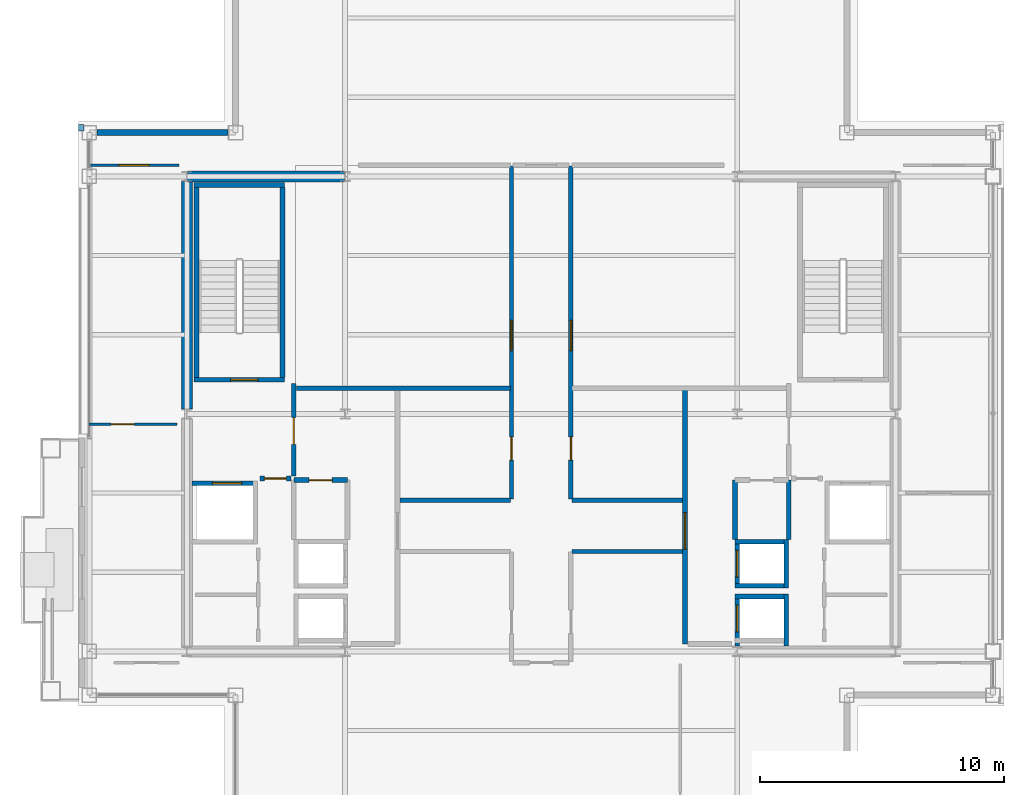
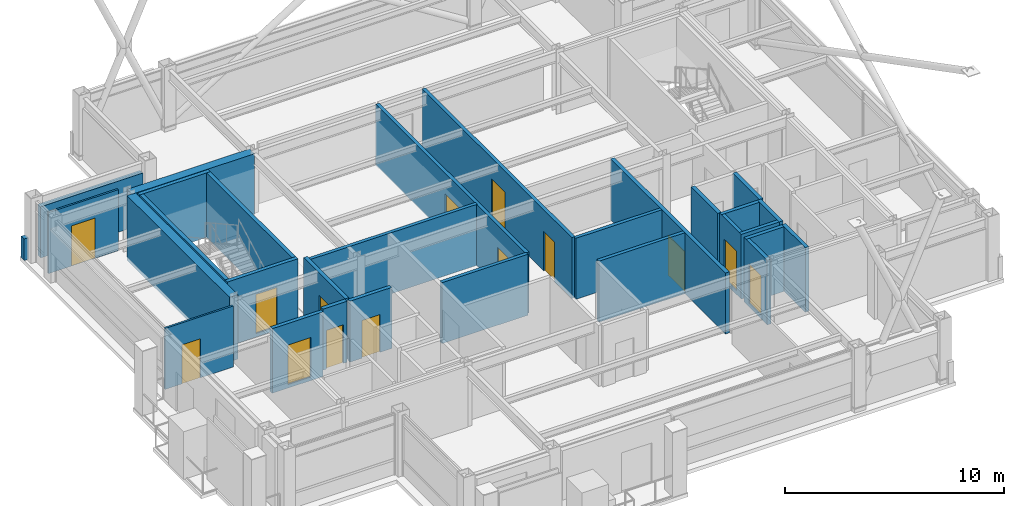
# One storey, part 23 of 27: 30 walls, 14 doors, 14 openings.
"""IFC4 building model written with IfcOpenShell, lengths in metres."""

import ifcopenshell
import ifcopenshell.guid

model = None  # the IFC model being written
_history = None  # IfcOwnerHistory: only IFC2X3 demands one
_inside = {}  # id of a spatial element -> (the spatial element, [elements in it])
_under = {}  # id of a project, library or spatial element -> (it, [spatial elements below it])
_declared = {}  # id of a project -> (the project, [libraries it declares])
_typed = {}  # id of a type object -> (the type object, [elements of that type])
_made_of = {}  # id of a material, layer set ... -> (it, [elements and type objects made of it])


def new_model(schema):
    """Start an empty IFC model of exactly this schema.

    Asked for "IFC4X3", IfcOpenShell would pick the latest addendum, in which some entities
    have other attributes; the version numbers below select the first issue.
    IFC2X3 requires an IfcOwnerHistory on every rooted entity: one is made here for all.
    """
    global model, _history
    if schema == "IFC4X3":
        model = ifcopenshell.file(schema_version=(4, 3, 0, 0))
    else:
        model = ifcopenshell.file(schema=schema)
    _inside.clear()
    _under.clear()
    _declared.clear()
    _typed.clear()
    _made_of.clear()
    _history = None
    if model.schema == "IFC2X3":
        org = make("IfcOrganization", Name="unknown")
        user = make(
            "IfcPersonAndOrganization",
            ThePerson=make("IfcPerson", FamilyName="unknown"),
            TheOrganization=org,
        )
        app = make(
            "IfcApplication",
            ApplicationDeveloper=org,
            Version="unknown",
            ApplicationFullName="unknown",
            ApplicationIdentifier="unknown",
        )
        _history = make(
            "IfcOwnerHistory",
            OwningUser=user,
            OwningApplication=app,
            ChangeAction="ADDED",
            CreationDate=0,
        )
    return model


def make(cls, **values):
    """One entity of the class cls with the attributes given. An attribute that is None is left unset."""
    return model.create_entity(
        cls, **{name: value for name, value in values.items() if value is not None}
    )


def rooted(cls, **values):
    """An entity with a GlobalId (a new one), such as an element, a storey or a relation."""
    return make(cls, GlobalId=ifcopenshell.guid.new(), OwnerHistory=_history, **values)


def si_unit(unit_type, name, prefix=None):
    """IfcSIUnit, for example si_unit("LENGTHUNIT", "METRE", prefix="MILLI")."""
    return make("IfcSIUnit", UnitType=unit_type, Prefix=prefix, Name=name)


def assignment(units):
    """IfcUnitAssignment: the units of a project."""
    return None if units is None else make("IfcUnitAssignment", Units=units)


def point(xyz):
    """IfcCartesianPoint."""
    return None if xyz is None else make("IfcCartesianPoint", Coordinates=xyz)


def direction(xyz):
    """IfcDirection."""
    return None if xyz is None else make("IfcDirection", DirectionRatios=xyz)


def frame(location, z_axis=None, x_axis=None):
    """IfcAxis2Placement3D, a coordinate frame: its origin and axes. An axis left out is left unset."""
    return make(
        "IfcAxis2Placement3D",
        Location=point(location),
        Axis=direction(z_axis),
        RefDirection=direction(x_axis),
    )


def frame_2d(location, x_axis=None):
    """IfcAxis2Placement2D, a coordinate frame in the plane: its origin and x axis."""
    return make(
        "IfcAxis2Placement2D", Location=point(location), RefDirection=direction(x_axis)
    )


def origin():
    """The frame at (0, 0, 0) with its axes left unset."""
    return frame((0.0, 0.0, 0.0))


def place(relative_to, where):
    """IfcLocalPlacement: puts the frame where relative to a parent placement (None: the world)."""
    return make(
        "IfcLocalPlacement", PlacementRelTo=relative_to, RelativePlacement=where
    )


def context(
    kind, dimensions, precision=None, world=None, true_north=None, identifier=None
):
    """IfcGeometricRepresentationContext, for example the 3D "Model" context."""
    return make(
        "IfcGeometricRepresentationContext",
        ContextIdentifier=identifier,
        ContextType=kind,
        CoordinateSpaceDimension=dimensions,
        Precision=precision,
        WorldCoordinateSystem=world,
        TrueNorth=true_north,
    )


def subcontext(parent, identifier, kind, view, scale=None):
    """IfcGeometricRepresentationSubContext, for example "Body" below "Model"."""
    return make(
        "IfcGeometricRepresentationSubContext",
        ContextIdentifier=identifier,
        ContextType=kind,
        ParentContext=parent,
        TargetScale=scale,
        TargetView=view,
    )


def project(units=None, contexts=None):
    """IfcProject with its units and contexts."""
    return rooted(
        "IfcProject",
        Name="project",
        RepresentationContexts=contexts,
        UnitsInContext=assignment(units),
    )


def spatial(cls, under=None, at=None, **own):
    """A site, building, storey or space (cls), placed at a placement, below another one or the project."""
    s = rooted(cls, ObjectPlacement=at, **own)
    if under is not None:
        _under.setdefault(under.id(), (under, []))[1].append(s)
    return s


def profile(cls, at=None, kind="AREA", **sizes):
    """A parametric profile (cls). Its sizes go by their IFC names, for example OverallWidth=200.0."""
    return make(cls, ProfileType=kind, Position=at, **sizes)


def rectangle(**sizes):
    """IfcRectangleProfileDef."""
    return profile("IfcRectangleProfileDef", **sizes)


def extrude(swept, where, along, depth):
    """IfcExtrudedAreaSolid: the profile swept, set in the frame where, extruded along a direction by depth."""
    return make(
        "IfcExtrudedAreaSolid",
        SweptArea=swept,
        Position=where,
        ExtrudedDirection=direction(along),
        Depth=depth,
    )


def shape(context_of_items, identifier, shape_type, items):
    """IfcShapeRepresentation: the items that make up one representation, for example the "Body"."""
    return make(
        "IfcShapeRepresentation",
        ContextOfItems=context_of_items,
        RepresentationIdentifier=identifier,
        RepresentationType=shape_type,
        Items=items,
    )


def material(Name=None, Category=None):
    """IfcMaterial."""
    return make("IfcMaterial", Name=Name, Category=Category)


def layer(
    of_material, thickness, ventilated=None, Name=None, Category=None, Priority=None
):
    """IfcMaterialLayer: one layer of a wall or slab, of a material (None: an air gap)."""
    return make(
        "IfcMaterialLayer",
        Material=of_material,
        LayerThickness=thickness,
        IsVentilated=ventilated,
        Name=Name,
        Category=Category,
        Priority=Priority,
    )


def layer_set(layers, Name=None):
    """IfcMaterialLayerSet."""
    return make("IfcMaterialLayerSet", MaterialLayers=layers, LayerSetName=Name)


def made_of(thing, what):
    """Note that an element or type object is made of a material, layer set ...; save() writes the relation."""
    if what is not None:
        _made_of.setdefault(what.id(), (what, []))[1].append(thing)
    return thing


def type_object(cls, material=None, **own):
    """A type object (cls), such as IfcWallType, which elements share."""
    return made_of(rooted(cls, **own), material)


def element(
    cls,
    number,
    at=None,
    inside=None,
    cuts=None,
    type_object=None,
    material=None,
    context=None,
    identifier="Body",
    shape_type=None,
    held_by="IfcProductDefinitionShape",
    body=None,
    shapes=None,
    **own,
):
    """One element of the class cls, such as IfcWall. Its Tag is "e" and its number.

    at: its placement. inside: the storey or other place that contains it. cuts: it is an
    opening in that element (IfcRelVoidsElement). A single representation is given by context,
    identifier, shape_type and body (its items); several are given by shapes. held_by: the class
    of the entity that holds the representations. save() writes the other relations.
    """
    e = rooted(cls, Tag="e%d" % number, ObjectPlacement=at, **own)
    if body is not None:
        shapes = [shape(context, identifier, shape_type, body)]
    if shapes is not None:
        e.Representation = make(held_by, Representations=shapes)
    if inside is not None:
        _inside.setdefault(inside.id(), (inside, []))[1].append(e)
    if cuts is not None:
        rooted(
            "IfcRelVoidsElement", RelatingBuildingElement=cuts, RelatedOpeningElement=e
        )
    if type_object is not None:
        _typed.setdefault(type_object.id(), (type_object, []))[1].append(e)
    return made_of(e, material)


def fill(opening, filler):
    """IfcRelFillsElement: the door or window that sits in an opening."""
    return rooted(
        "IfcRelFillsElement",
        RelatingOpeningElement=opening,
        RelatedBuildingElement=filler,
    )


def aggregate(whole, parts):
    """IfcRelAggregates: a whole, such as a stair, and the parts it consists of."""
    return rooted("IfcRelAggregates", RelatingObject=whole, RelatedObjects=parts)


def save(model, path):
    """Write the relations noted so far, then the file.

    IfcRelAggregates (storeys below a building ...), IfcRelContainedInSpatialStructure (elements
    in a storey), IfcRelDefinesByType, IfcRelAssociatesMaterial and IfcRelDeclares: one each for
    every whole, place, type object, material and project.
    """
    for whole, parts in _under.values():
        aggregate(whole, parts)
    for where, things in _inside.values():
        rooted(
            "IfcRelContainedInSpatialStructure",
            RelatedElements=things,
            RelatingStructure=where,
        )
    for kind, things in _typed.values():
        rooted("IfcRelDefinesByType", RelatedObjects=things, RelatingType=kind)
    for what, things in _made_of.values():
        rooted("IfcRelAssociatesMaterial", RelatedObjects=things, RelatingMaterial=what)
    for by, libraries in _declared.values():
        rooted("IfcRelDeclares", RelatingContext=by, RelatedDefinitions=libraries)
    model.write(path)


model = new_model("IFC4")

# Units and contexts
model_context = context("Model", 3, precision=1e-05, world=origin(), true_north=direction((0.0, 1.0)))
body_context = subcontext(model_context, "Body", "Model", "MODEL_VIEW")
ifc_project = project(units=[si_unit("LENGTHUNIT", "METRE"), si_unit("AREAUNIT", "SQUARE_METRE"), si_unit("VOLUMEUNIT", "CUBIC_METRE"), si_unit("PLANEANGLEUNIT", "RADIAN"), si_unit("MASSUNIT", "GRAM", prefix="KILO")], contexts=[model_context])

# Site, building, storey
site_placement = place(None, origin())
site = spatial("IfcSite", under=ifc_project, at=site_placement, CompositionType="ELEMENT")
building_placement = place(site_placement, origin())
building = spatial("IfcBuilding", under=site, at=building_placement, Name="Brelmoor Portico Tower", CompositionType="ELEMENT")
storey_placement = place(building_placement, frame((0.0, 0.0, 258.0)))
storey = spatial("IfcBuildingStorey", under=building, at=storey_placement, Name="L68", CompositionType="ELEMENT", Elevation=258.0)

# Walls
ifc_material_1 = material(Name="Concrete C50", Category="concrete")
ifc_layer_1 = layer(ifc_material_1, 0.449951171875)
ifc_layer_set_1 = layer_set([ifc_layer_1], Name="Concrete C50")
wall_type_1 = type_object("IfcWallType", Name="WL-CORE-450", PredefinedType="SHEAR", material=ifc_layer_set_1)
wall_1_placement = place(storey_placement, frame((-14.530029296875, 9.75, -0.199951171875), z_axis=(0.0, 0.0, 1.0), x_axis=(1.0, 0.0, 0.0)))
element("IfcWall", 1, at=wall_1_placement, inside=storey, type_object=wall_type_1, Name="L68 WC North Shear Wall", PredefinedType="SHEAR", context=body_context, shape_type="SweptSolid", body=[
    extrude(rectangle(XDim=6.4599609375, YDim=0.449951171875, at=frame_2d((3.22998046875, 0.0))), origin(), (0.0, 0.0, 1.0), 3.599853515625),
])
wall_2_placement = place(storey_placement, frame((-14.550048828125, 0.199951171875, -0.199951171875), z_axis=(0.0, 0.0, 1.0), x_axis=(0.0, 1.0, 0.0)))
element("IfcWall", 2, at=wall_2_placement, inside=storey, type_object=wall_type_1, Name="L68 WC Outer North Shear Wall", PredefinedType="SHEAR", context=body_context, shape_type="SweptSolid", body=[
    extrude(rectangle(XDim=9.35009765625, YDim=0.449951171875, at=frame_2d((4.675048828125, 0.0))), origin(), (0.0, 0.0, 1.0), 3.599853515625),
])
ifc_material_2 = material(Name="Precast Concrete C40 Insulated Facade Wall", Category="concrete")
ifc_layer_2 = layer(ifc_material_2, 0.25)
ifc_layer_set_2 = layer_set([ifc_layer_2], Name="Precast Concrete C40 Insulated Facade Wall")
wall_type_2 = type_object("IfcWallType", Name="WL-EXT-250", PredefinedType="STANDARD", material=ifc_layer_set_2)
wall_3_placement = place(storey_placement, frame((-18.239990234375, 11.550048828125, 0.0), z_axis=(0.0, 0.0, 1.0), x_axis=(1.0, 0.0, 0.0)))
element("IfcWall", 3, at=wall_3_placement, inside=storey, type_object=wall_type_2, Name="L68 Corner Notch Facade Wall NNWH1", PredefinedType="STANDARD", context=body_context, shape_type="SweptSolid", body=[
    extrude(rectangle(XDim=5.3798828125, YDim=0.25, at=frame_2d((2.68994140625, 0.0))), origin(), (0.0, 0.0, 1.0), 2.85009765625),
])
ifc_material_3 = material(Name="Concrete C40 Parapet Upstand", Category="concrete")
ifc_layer_3 = layer(ifc_material_3, 0.219970703125)
ifc_layer_set_3 = layer_set([ifc_layer_3], Name="Concrete C40 Parapet Upstand")
wall_type_3 = type_object("IfcWallType", Name="WL-PARAPET-220", PredefinedType="PARAPET", material=ifc_layer_set_3)
wall_4_placement = place(storey_placement, frame((-18.889892578125, 11.6201171875, 0.0), z_axis=(0.0, 0.0, 1.0), x_axis=(0.0, 1.0, 0.0)))
element("IfcWall", 4, at=wall_4_placement, inside=storey, type_object=wall_type_3, Name="L68 Chamfer Vertex Parapet Pier NW2", PredefinedType="PARAPET", context=body_context, shape_type="SweptSolid", body=[
    extrude(rectangle(XDim=0.269775390625, YDim=0.219970703125, at=frame_2d((0.134765625, 0.0))), origin(), (0.0, 0.0, 1.0), 1.199951171875),
])

# Wall, opening, door
ifc_material_4 = material(Name="Demountable Glazed Office Partition", Category="aluminium")
ifc_layer_4 = layer(ifc_material_4, 0.10009765625)
ifc_layer_set_4 = layer_set([ifc_layer_4], Name="Demountable Glazed Office Partition")
wall_type_4 = type_object("IfcWallType", Name="WL-PART-100", PredefinedType="PARTITIONING", material=ifc_layer_set_4)
wall_5_placement = place(storey_placement, frame((-18.56005859375, 10.2099609375, 0.0), z_axis=(0.0, 0.0, 1.0), x_axis=(1.0, 0.0, 0.0)))
wall_5 = element("IfcWall", 5, at=wall_5_placement, inside=storey, type_object=wall_type_4, Name="L68 North Wing Suite Wall WL", PredefinedType="PARTITIONING", context=body_context, shape_type="SweptSolid", body=[
    extrude(rectangle(XDim=3.68017578125, YDim=0.10009765625, at=frame_2d((1.840087890625, 0.0))), origin(), (0.0, 0.0, 1.0), 3.39990234375),
])
opening_1_placement = place(wall_5_placement, frame((1.219970703125, 0.0, 0.0)))
opening_1 = element("IfcOpeningElement", 6, at=opening_1_placement, cuts=wall_5, Name="Opening D-SU1", PredefinedType="OPENING", context=body_context, shape_type="SweptSolid", body=[
    extrude(rectangle(XDim=1.239990234375, YDim=2.239990234375, at=frame_2d((0.6201171875, 1.1201171875))), frame((0.0, 0.06005859375, 0.0), z_axis=(0.0, -1.0, 0.0), x_axis=(1.0, 0.0, 0.0)), (0.0, 0.0, 1.0), 0.1201171875),
])
ifc_material_5 = material(Name="Glazed Timber Executive Suite Door", Category="wood")
door_type_1 = type_object("IfcDoorType", Name="DR-SUITE-1200", OperationType="NOTDEFINED", PredefinedType="DOOR", material=ifc_material_5)
door_1_placement = place(opening_1_placement, origin())
door_1 = element("IfcDoor", 7, at=door_1_placement, inside=storey, type_object=door_type_1, Name="D-2803 L68 WL Wing Suite Connecting Door", OperationType="SINGLE_SWING_LEFT", OverallHeight=2.239990234375, OverallWidth=1.239990234375, PredefinedType="DOOR", context=body_context, shape_type="SweptSolid", body=[
    extrude(rectangle(XDim=1.239990234375, YDim=2.239990234375, at=frame_2d((0.6201171875, 1.1201171875))), frame((0.0, 0.02490234375, 0.0), z_axis=(0.0, -1.0, 0.0), x_axis=(1.0, 0.0, 0.0)), (0.0, 0.0, 1.0), 0.050048828125),
])
fill(opening_1, door_1)

wall_6_placement = place(storey_placement, frame((-18.56005859375, -0.429931640625, 0.0), z_axis=(0.0, 0.0, 1.0), x_axis=(1.0, 0.0, 0.0)))
wall_6 = element("IfcWall", 8, at=wall_6_placement, inside=storey, type_object=wall_type_4, Name="L68 W Wing Partition 1", PredefinedType="PARTITIONING", context=body_context, shape_type="SweptSolid", body=[
    extrude(rectangle(XDim=3.60009765625, YDim=0.10009765625, at=frame_2d((1.800048828125, 0.0))), origin(), (0.0, 0.0, 1.0), 3.39990234375),
])
opening_2_placement = place(wall_6_placement, frame((0.89990234375, 0.0, 0.0)))
opening_2 = element("IfcOpeningElement", 9, at=opening_2_placement, cuts=wall_6, Name="Opening D-IN2", PredefinedType="OPENING", context=body_context, shape_type="SweptSolid", body=[
    extrude(rectangle(XDim=0.9599609375, YDim=2.179931640625, at=frame_2d((0.47998046875, 1.08984375))), frame((0.0, 0.06005859375, 0.0), z_axis=(0.0, -1.0, 0.0), x_axis=(1.0, 0.0, 0.0)), (0.0, 0.0, 1.0), 0.1201171875),
])
ifc_material_6 = material(Name="Lacquered Timber Suite Door", Category="wood")
door_type_2 = type_object("IfcDoorType", Name="DR-INT-950", OperationType="NOTDEFINED", PredefinedType="DOOR", material=ifc_material_6)
door_2_placement = place(opening_2_placement, origin())
door_2 = element("IfcDoor", 10, at=door_2_placement, inside=storey, type_object=door_type_2, Name="D-2813 L68 W Wing Suite Connecting Door 1", OperationType="SINGLE_SWING_LEFT", OverallHeight=2.179931640625, OverallWidth=0.9599609375, PredefinedType="DOOR", context=body_context, shape_type="SweptSolid", body=[
    extrude(rectangle(XDim=0.9599609375, YDim=2.179931640625, at=frame_2d((0.47998046875, 1.08984375))), frame((0.0, 0.02490234375, 0.0), z_axis=(0.0, -1.0, 0.0), x_axis=(1.0, 0.0, 0.0)), (0.0, 0.0, 1.0), 0.050048828125),
])
fill(opening_2, door_2)

# Wall
ifc_material_7 = material(Name="Acoustic Corridor Fire Partition", Category="gypsum")
ifc_layer_5 = layer(ifc_material_7, 0.179931640625)
ifc_layer_set_5 = layer_set([ifc_layer_5], Name="Acoustic Corridor Fire Partition")
wall_type_5 = type_object("IfcWallType", Name="WL-PART-180", PredefinedType="PARTITIONING", material=ifc_layer_set_5)
wall_7_placement = place(storey_placement, frame((-10.050048828125, 1.050048828125, 0.0), z_axis=(0.0, 0.0, 1.0), x_axis=(1.0, 0.0, 0.0)))
element("IfcWall", 11, at=wall_7_placement, inside=storey, type_object=wall_type_5, Name="L68 West Reclaimed Suite South Wall", PredefinedType="PARTITIONING", context=body_context, shape_type="SweptSolid", body=[
    extrude(rectangle(XDim=8.7900390625, YDim=0.179931640625, at=frame_2d((4.39501953125, 0.0))), origin(), (0.0, 0.0, 1.0), 3.39990234375),
])

# Wall, openings, doors
wall_8_placement = place(storey_placement, frame((-1.219970703125, -3.5, 0.0), z_axis=(0.0, 0.0, 1.0), x_axis=(0.0, 1.0, 0.0)))
wall_8 = element("IfcWall", 12, at=wall_8_placement, inside=storey, type_object=wall_type_5, Name="L68 Central Cross West Wall", PredefinedType="PARTITIONING", context=body_context, shape_type="SweptSolid", body=[
    extrude(rectangle(XDim=13.669921875, YDim=0.179931640625, at=frame_2d((6.8349609375, 0.0))), origin(), (0.0, 0.0, 1.0), 3.39990234375),
])
opening_3_placement = place(wall_8_placement, frame((6.10009765625, 0.0, 0.0)))
opening_3 = element("IfcOpeningElement", 13, at=opening_3_placement, cuts=wall_8, Name="Opening D-SU1", PredefinedType="OPENING", context=body_context, shape_type="SweptSolid", body=[
    extrude(rectangle(XDim=1.239990234375, YDim=2.239990234375, at=frame_2d((0.6201171875, 1.1201171875))), frame((0.0, 0.099853515625, 0.0), z_axis=(0.0, -1.0, 0.0), x_axis=(1.0, 0.0, 0.0)), (0.0, 0.0, 1.0), 0.199951171875),
])
opening_4_placement = place(wall_8_placement, frame((1.60009765625, 0.0, 0.0)))
opening_4 = element("IfcOpeningElement", 14, at=opening_4_placement, cuts=wall_8, Name="Opening D-IN2", PredefinedType="OPENING", context=body_context, shape_type="SweptSolid", body=[
    extrude(rectangle(XDim=0.9599609375, YDim=2.179931640625, at=frame_2d((0.47998046875, 1.08984375))), frame((0.0, 0.099853515625, 0.0), z_axis=(0.0, -1.0, 0.0), x_axis=(1.0, 0.0, 0.0)), (0.0, 0.0, 1.0), 0.199951171875),
])
door_3_placement = place(opening_4_placement, origin())
door_3 = element("IfcDoor", 15, at=door_3_placement, inside=storey, type_object=door_type_2, Name="D-2787 L68 Staff Pantry Door", OperationType="SINGLE_SWING_LEFT", OverallHeight=2.179931640625, OverallWidth=0.9599609375, PredefinedType="DOOR", context=body_context, shape_type="SweptSolid", body=[
    extrude(rectangle(XDim=0.9599609375, YDim=2.179931640625, at=frame_2d((0.47998046875, 1.08984375))), frame((0.0, 0.02490234375, 0.0), z_axis=(0.0, -1.0, 0.0), x_axis=(1.0, 0.0, 0.0)), (0.0, 0.0, 1.0), 0.050048828125),
])
fill(opening_4, door_3)
door_4_placement = place(opening_3_placement, origin())
door_4 = element("IfcDoor", 16, at=door_4_placement, inside=storey, type_object=door_type_1, Name="D-2788 L68 West Reclaimed Studio Door", OperationType="SINGLE_SWING_RIGHT", OverallHeight=2.239990234375, OverallWidth=1.239990234375, PredefinedType="DOOR", context=body_context, shape_type="SweptSolid", body=[
    extrude(rectangle(XDim=1.239990234375, YDim=2.239990234375, at=frame_2d((0.6201171875, 1.1201171875))), frame((0.0, 0.02490234375, 0.0), z_axis=(0.0, -1.0, 0.0), x_axis=(1.0, 0.0, 0.0)), (0.0, 0.0, 1.0), 0.050048828125),
])
fill(opening_3, door_4)

# Wall
wall_9_placement = place(storey_placement, frame((-5.800048828125, -3.550048828125, 0.0), z_axis=(0.0, 0.0, 1.0), x_axis=(1.0, 0.0, 0.0)))
element("IfcWall", 17, at=wall_9_placement, inside=storey, type_object=wall_type_5, Name="L68 West Pantry South Wall", PredefinedType="PARTITIONING", context=body_context, shape_type="SweptSolid", body=[
    extrude(rectangle(XDim=4.5400390625, YDim=0.179931640625, at=frame_2d((2.27001953125, 0.0))), origin(), (0.0, 0.0, 1.0), 3.39990234375),
])

# Wall, openings, doors
wall_10_placement = place(storey_placement, frame((1.219970703125, -3.5, 0.0), z_axis=(0.0, 0.0, 1.0), x_axis=(0.0, 1.0, 0.0)))
wall_10 = element("IfcWall", 18, at=wall_10_placement, inside=storey, type_object=wall_type_5, Name="L68 Central Cross East Wall", PredefinedType="PARTITIONING", context=body_context, shape_type="SweptSolid", body=[
    extrude(rectangle(XDim=13.669921875, YDim=0.179931640625, at=frame_2d((6.8349609375, 0.0))), origin(), (0.0, 0.0, 1.0), 3.39990234375),
])
opening_5_placement = place(wall_10_placement, frame((6.10009765625, 0.0, 0.0)))
opening_5 = element("IfcOpeningElement", 19, at=opening_5_placement, cuts=wall_10, Name="Opening D-SU1", PredefinedType="OPENING", context=body_context, shape_type="SweptSolid", body=[
    extrude(rectangle(XDim=1.239990234375, YDim=2.239990234375, at=frame_2d((0.6201171875, 1.1201171875))), frame((0.0, 0.099853515625, 0.0), z_axis=(0.0, -1.0, 0.0), x_axis=(1.0, 0.0, 0.0)), (0.0, 0.0, 1.0), 0.199951171875),
])
opening_6_placement = place(wall_10_placement, frame((1.60009765625, 0.0, 0.0)))
opening_6 = element("IfcOpeningElement", 20, at=opening_6_placement, cuts=wall_10, Name="Opening D-IN2", PredefinedType="OPENING", context=body_context, shape_type="SweptSolid", body=[
    extrude(rectangle(XDim=0.9599609375, YDim=2.179931640625, at=frame_2d((0.47998046875, 1.08984375))), frame((0.0, 0.099853515625, 0.0), z_axis=(0.0, -1.0, 0.0), x_axis=(1.0, 0.0, 0.0)), (0.0, 0.0, 1.0), 0.199951171875),
])
door_5_placement = place(opening_6_placement, origin())
door_5 = element("IfcDoor", 21, at=door_5_placement, inside=storey, type_object=door_type_2, Name="D-2783 L68 Client Project Office Door", OperationType="SINGLE_SWING_LEFT", OverallHeight=2.179931640625, OverallWidth=0.9599609375, PredefinedType="DOOR", context=body_context, shape_type="SweptSolid", body=[
    extrude(rectangle(XDim=0.9599609375, YDim=2.179931640625, at=frame_2d((0.47998046875, 1.08984375))), frame((0.0, 0.02490234375, 0.0), z_axis=(0.0, -1.0, 0.0), x_axis=(1.0, 0.0, 0.0)), (0.0, 0.0, 1.0), 0.050048828125),
])
fill(opening_6, door_5)
door_6_placement = place(opening_5_placement, origin())
door_6 = element("IfcDoor", 22, at=door_6_placement, inside=storey, type_object=door_type_1, Name="D-2784 L68 East Reclaimed Studio Door", OperationType="SINGLE_SWING_RIGHT", OverallHeight=2.239990234375, OverallWidth=1.239990234375, PredefinedType="DOOR", context=body_context, shape_type="SweptSolid", body=[
    extrude(rectangle(XDim=1.239990234375, YDim=2.239990234375, at=frame_2d((0.6201171875, 1.1201171875))), frame((0.0, 0.02490234375, 0.0), z_axis=(0.0, -1.0, 0.0), x_axis=(1.0, 0.0, 0.0)), (0.0, 0.0, 1.0), 0.050048828125),
])
fill(opening_5, door_6)

# Walls
for number, where, z_axis, x_axis, name in (
    (23, (1.260009765625, -3.550048828125, 0.0), (0.0, 0.0, 1.0), (1.0, 0.0, 0.0), "L68 East Office South Wall"),
    (24, (1.260009765625, -5.64990234375, 0.0), (0.0, 0.0, 1.0), (1.0, 0.0, 0.0), "L68 South-East Chamber Top Wall"),
):
    element("IfcWall", number, at=place(storey_placement, frame(where, z_axis=z_axis, x_axis=x_axis)), inside=storey, type_object=wall_type_5, Name=name, PredefinedType="PARTITIONING", context=body_context, shape_type="SweptSolid", body=[
        extrude(rectangle(XDim=4.5400390625, YDim=0.179931640625, at=frame_2d((2.27001953125, 0.0))), origin(), (0.0, 0.0, 1.0), 3.39990234375),
    ])

# Wall, opening, door
ifc_material_8 = material(Name="Double-Stud Gypsum Fire Partition", Category="gypsum")
ifc_layer_6 = layer(ifc_material_8, 0.199951171875)
ifc_layer_set_6 = layer_set([ifc_layer_6], Name="Double-Stud Gypsum Fire Partition")
wall_type_6 = type_object("IfcWallType", Name="WL-PART-200", PredefinedType="PARTITIONING", material=ifc_layer_set_6)
wall_11_placement = place(storey_placement, frame((-10.159912109375, -2.550048828125, 0.0), z_axis=(0.0, 0.0, 1.0), x_axis=(0.0, 1.0, 0.0)))
wall_11 = element("IfcWall", 25, at=wall_11_placement, inside=storey, type_object=wall_type_6, Name="L68 W Firefighting Lobby Wall", PredefinedType="PARTITIONING", context=body_context, shape_type="SweptSolid", body=[
    extrude(rectangle(XDim=3.800048828125, YDim=0.199951171875, at=frame_2d((1.89990234375, 0.0))), origin(), (0.0, 0.0, 1.0), 3.39990234375),
])
opening_7_placement = place(wall_11_placement, frame((1.300048828125, 0.0, 0.0)))
opening_7 = element("IfcOpeningElement", 26, at=opening_7_placement, cuts=wall_11, Name="Opening D-FR1", PredefinedType="OPENING", context=body_context, shape_type="SweptSolid", body=[
    extrude(rectangle(XDim=1.10009765625, YDim=2.14990234375, at=frame_2d((0.550048828125, 1.074951171875))), frame((0.0, 0.10986328125, 0.0), z_axis=(0.0, -1.0, 0.0), x_axis=(1.0, 0.0, 0.0)), (0.0, 0.0, 1.0), 0.219970703125),
])
ifc_material_9 = material(Name="Painted Galvanised Steel Fire Door", Category="steel")
door_type_3 = type_object("IfcDoorType", Name="DR-FIRE-1100", OperationType="NOTDEFINED", PredefinedType="DOOR", material=ifc_material_9)
door_7_placement = place(opening_7_placement, origin())
door_7 = element("IfcDoor", 27, at=door_7_placement, inside=storey, type_object=door_type_3, Name="D-2798 L68 W Firefighting Lobby Door", OperationType="SINGLE_SWING_RIGHT", OverallHeight=2.14990234375, OverallWidth=1.10009765625, PredefinedType="DOOR", context=body_context, shape_type="SweptSolid", body=[
    extrude(rectangle(XDim=1.10009765625, YDim=2.14990234375, at=frame_2d((0.550048828125, 1.074951171875))), frame((0.0, 0.02490234375, 0.0), z_axis=(0.0, -1.0, 0.0), x_axis=(1.0, 0.0, 0.0)), (0.0, 0.0, 1.0), 0.050048828125),
])
fill(opening_7, door_7)

wall_12_placement = place(storey_placement, frame((-10.280029296875, -2.64990234375, 0.0), z_axis=(0.0, 0.0, 1.0), x_axis=(-1.0, 0.0, 0.0)))
wall_12 = element("IfcWall", 28, at=wall_12_placement, inside=storey, type_object=wall_type_6, Name="L68 W Firefighting Lobby South Wall", PredefinedType="PARTITIONING", context=body_context, shape_type="SweptSolid", body=[
    extrude(rectangle(XDim=1.27001953125, YDim=0.199951171875, at=frame_2d((0.635009765625, 0.0))), origin(), (0.0, 0.0, 1.0), 3.39990234375),
])
opening_8_placement = place(wall_12_placement, frame((0.18505859375, 0.0, 0.0)))
opening_8 = element("IfcOpeningElement", 29, at=opening_8_placement, cuts=wall_12, Name="Opening D-IN1", PredefinedType="OPENING", context=body_context, shape_type="SweptSolid", body=[
    extrude(rectangle(XDim=0.89990234375, YDim=2.14990234375, at=frame_2d((0.449951171875, 1.074951171875))), frame((0.0, 0.10986328125, 0.0), z_axis=(0.0, -1.0, 0.0), x_axis=(1.0, 0.0, 0.0)), (0.0, 0.0, 1.0), 0.219970703125),
])
door_type_4 = type_object("IfcDoorType", Name="DR-INT-900", OperationType="NOTDEFINED", PredefinedType="DOOR", material=ifc_material_6)
door_8_placement = place(opening_8_placement, origin())
door_8 = element("IfcDoor", 30, at=door_8_placement, inside=storey, type_object=door_type_4, Name="D-2792 L68 W Core Service Vestibule Door", OperationType="SINGLE_SWING_LEFT", OverallHeight=2.14990234375, OverallWidth=0.89990234375, PredefinedType="DOOR", context=body_context, shape_type="SweptSolid", body=[
    extrude(rectangle(XDim=0.89990234375, YDim=2.14990234375, at=frame_2d((0.449951171875, 1.074951171875))), frame((0.0, 0.02490234375, 0.0), z_axis=(0.0, -1.0, 0.0), x_axis=(1.0, 0.0, 0.0)), (0.0, 0.0, 1.0), 0.050048828125),
])
fill(opening_8, door_8)

wall_13_placement = place(storey_placement, frame((-7.9599609375, -2.719970703125, 0.0), z_axis=(0.0, 0.0, 1.0), x_axis=(-1.0, 0.0, 0.0)))
wall_13 = element("IfcWall", 31, at=wall_13_placement, inside=storey, type_object=wall_type_6, Name="L68 W Electrical Switchgear Closet Wall", PredefinedType="PARTITIONING", context=body_context, shape_type="SweptSolid", body=[
    extrude(rectangle(XDim=2.199951171875, YDim=0.199951171875, at=frame_2d((1.10009765625, 0.0))), origin(), (0.0, 0.0, 1.0), 3.39990234375),
])
opening_9_placement = place(wall_13_placement, frame((0.6201171875, 0.0, 0.0)))
opening_9 = element("IfcOpeningElement", 32, at=opening_9_placement, cuts=wall_13, Name="Opening D-FR4", PredefinedType="OPENING", context=body_context, shape_type="SweptSolid", body=[
    extrude(rectangle(XDim=0.949951171875, YDim=2.10009765625, at=frame_2d((0.47509765625, 1.050048828125))), frame((0.0, 0.10986328125, 0.0), z_axis=(0.0, -1.0, 0.0), x_axis=(1.0, 0.0, 0.0)), (0.0, 0.0, 1.0), 0.219970703125),
])
ifc_material_10 = material(Name="Painted Galvanised Steel Riser Door", Category="steel")
door_type_5 = type_object("IfcDoorType", Name="DR-FIRE-950", OperationType="NOTDEFINED", PredefinedType="DOOR", material=ifc_material_10)
door_9_placement = place(opening_9_placement, origin())
door_9 = element("IfcDoor", 33, at=door_9_placement, inside=storey, type_object=door_type_5, Name="D-2796 L68 W Electrical Switchgear Closet Door", OperationType="SINGLE_SWING_RIGHT", OverallHeight=2.10009765625, OverallWidth=0.949951171875, PredefinedType="DOOR", context=body_context, shape_type="SweptSolid", body=[
    extrude(rectangle(XDim=0.949951171875, YDim=2.10009765625, at=frame_2d((0.47509765625, 1.050048828125))), frame((0.0, 0.02490234375, 0.0), z_axis=(0.0, -1.0, 0.0), x_axis=(1.0, 0.0, 0.0)), (0.0, 0.0, 1.0), 0.050048828125),
])
fill(opening_9, door_9)

wall_14_placement = place(storey_placement, frame((5.89990234375, -9.449951171875, 0.0), z_axis=(0.0, 0.0, 1.0), x_axis=(0.0, 1.0, 0.0)))
wall_14 = element("IfcWall", 34, at=wall_14_placement, inside=storey, type_object=wall_type_6, Name="L68 E Core Lobby Compartment Wall", PredefinedType="PARTITIONING", context=body_context, shape_type="SweptSolid", body=[
    extrude(rectangle(XDim=10.5, YDim=0.199951171875, at=frame_2d((5.25, 0.0))), origin(), (0.0, 0.0, 1.0), 3.39990234375),
])
opening_10_placement = place(wall_14_placement, frame((3.89990234375, 0.0, 0.0)))
opening_10 = element("IfcOpeningElement", 35, at=opening_10_placement, cuts=wall_14, Name="Opening D-LB1", PredefinedType="OPENING", context=body_context, shape_type="SweptSolid", body=[
    extrude(rectangle(XDim=1.5, YDim=2.199951171875, at=frame_2d((0.75, 1.10009765625))), frame((0.0, 0.10986328125, 0.0), z_axis=(0.0, -1.0, 0.0), x_axis=(1.0, 0.0, 0.0)), (0.0, 0.0, 1.0), 0.219970703125),
])
ifc_material_11 = material(Name="Double-Leaf Glazed Steel Fire Door", Category="steel")
door_type_6 = type_object("IfcDoorType", Name="DR-LOBBY-1500", OperationType="NOTDEFINED", PredefinedType="DOOR", material=ifc_material_11)
door_10_placement = place(opening_10_placement, origin())
door_10 = element("IfcDoor", 36, at=door_10_placement, inside=storey, type_object=door_type_6, Name="D-2799 L68 E Lift Lobby Main Door", OperationType="DOUBLE_DOOR_SINGLE_SWING", OverallHeight=2.199951171875, OverallWidth=1.5, PredefinedType="DOOR", context=body_context, shape_type="SweptSolid", body=[
    extrude(rectangle(XDim=1.5, YDim=2.199951171875, at=frame_2d((0.75, 1.10009765625))), frame((0.0, 0.02490234375, 0.0), z_axis=(0.0, -1.0, 0.0), x_axis=(1.0, 0.0, 0.0)), (0.0, 0.0, 1.0), 0.050048828125),
])
fill(opening_10, door_10)

# Walls
for number, where, z_axis, x_axis, name in (
    (37, (7.9599609375, -5.159912109375, 0.0), (0.0, 0.0, 1.0), (0.0, 1.0, 0.0), "L68 E Electrical Switchgear Closet Inner Wall"),
    (38, (10.159912109375, -5.159912109375, 0.0), (0.0, 0.0, 1.0), (0.0, 1.0, 0.0), "L68 E Electrical Switchgear Closet Outer Wall"),
):
    element("IfcWall", number, at=place(storey_placement, frame(where, z_axis=z_axis, x_axis=x_axis)), inside=storey, type_object=wall_type_6, Name=name, PredefinedType="PARTITIONING", context=body_context, shape_type="SweptSolid", body=[
        extrude(rectangle(XDim=2.43994140625, YDim=0.199951171875, at=frame_2d((1.219970703125, 0.0))), origin(), (0.0, 0.0, 1.0), 3.39990234375),
    ])

# Wall, opening, door
ifc_material_12 = material(Name="Precast Concrete C40", Category="concrete")
ifc_layer_7 = layer(ifc_material_12, 0.18994140625)
ifc_layer_set_7 = layer_set([ifc_layer_7], Name="Precast Concrete C40")
wall_type_7 = type_object("IfcWallType", Name="WL-SHAFT-180", PredefinedType="SOLIDWALL", material=ifc_layer_set_7)
wall_15_placement = place(storey_placement, frame((8.044921875, -9.52001953125, -0.199951171875), z_axis=(0.0, 0.0, 1.0), x_axis=(0.0, 1.0, 0.0)))
wall_15 = element("IfcWall", 39, at=wall_15_placement, inside=storey, type_object=wall_type_7, Name="L68 Lift PH3 Hoistway Front Wall", PredefinedType="SOLIDWALL", context=body_context, shape_type="SweptSolid", body=[
    extrude(rectangle(XDim=2.1201171875, YDim=0.18994140625, at=frame_2d((1.06005859375, 0.0))), origin(), (0.0, 0.0, 1.0), 3.599853515625),
])
opening_11_placement = place(wall_15_placement, frame((0.570068359375, 0.0, 0.199951171875)))
opening_11 = element("IfcOpeningElement", 40, at=opening_11_placement, cuts=wall_15, Name="Opening LD-01", PredefinedType="OPENING", context=body_context, shape_type="SweptSolid", body=[
    extrude(rectangle(XDim=1.10009765625, YDim=2.199951171875, at=frame_2d((0.550048828125, 1.10009765625))), frame((0.0, 0.10498046875, 0.0), z_axis=(0.0, -1.0, 0.0), x_axis=(1.0, 0.0, 0.0)), (0.0, 0.0, 1.0), 0.2099609375),
])
ifc_material_13 = material(Name="Brushed Stainless Steel Sliding Lift Door", Category="steel")
door_type_7 = type_object("IfcDoorType", Name="DR-LIFT-1100", OperationType="NOTDEFINED", PredefinedType="DOOR", material=ifc_material_13)
door_11_placement = place(opening_11_placement, origin())
door_11 = element("IfcDoor", 41, at=door_11_placement, inside=storey, type_object=door_type_7, Name="D-2818 L68 Lift PH3 Sliding Landing Door", OperationType="SLIDING_TO_LEFT", OverallHeight=2.199951171875, OverallWidth=1.10009765625, PredefinedType="DOOR", context=body_context, shape_type="SweptSolid", body=[
    extrude(rectangle(XDim=1.10009765625, YDim=2.199951171875, at=frame_2d((0.550048828125, 1.10009765625))), frame((0.0, 0.02490234375, 0.0), z_axis=(0.0, -1.0, 0.0), x_axis=(1.0, 0.0, 0.0)), (0.0, 0.0, 1.0), 0.050048828125),
])
fill(opening_11, door_11)

# Walls
wall_16_placement = place(storey_placement, frame((10.054931640625, -9.52001953125, -0.199951171875), z_axis=(0.0, 0.0, 1.0), x_axis=(0.0, 1.0, 0.0)))
element("IfcWall", 42, at=wall_16_placement, inside=storey, type_object=wall_type_7, Name="L68 Lift PH3 Hoistway Back Wall", PredefinedType="SOLIDWALL", context=body_context, shape_type="SweptSolid", body=[
    extrude(rectangle(XDim=2.1201171875, YDim=0.18994140625, at=frame_2d((1.06005859375, 0.0))), origin(), (0.0, 0.0, 1.0), 3.599853515625),
])
wall_17_placement = place(storey_placement, frame((7.949951171875, -7.4951171875, -0.199951171875), z_axis=(0.0, 0.0, 1.0), x_axis=(1.0, 0.0, 0.0)))
element("IfcWall", 43, at=wall_17_placement, inside=storey, type_object=wall_type_7, Name="L68 Lift PH3 Hoistway North Wall", PredefinedType="SOLIDWALL", context=body_context, shape_type="SweptSolid", body=[
    extrude(rectangle(XDim=2.199951171875, YDim=0.18994140625, at=frame_2d((1.10009765625, 0.0))), origin(), (0.0, 0.0, 1.0), 3.599853515625),
])

# Wall, opening, door
wall_18_placement = place(storey_placement, frame((8.044921875, -7.14990234375, -0.199951171875), z_axis=(0.0, 0.0, 1.0), x_axis=(0.0, 1.0, 0.0)))
wall_18 = element("IfcWall", 44, at=wall_18_placement, inside=storey, type_object=wall_type_7, Name="L68 Lift PH4 Hoistway Front Wall", PredefinedType="SOLIDWALL", context=body_context, shape_type="SweptSolid", body=[
    extrude(rectangle(XDim=2.0, YDim=0.18994140625, at=frame_2d((1.0, 0.0))), origin(), (0.0, 0.0, 1.0), 3.599853515625),
])
opening_12_placement = place(wall_18_placement, frame((0.449951171875, 0.0, 0.199951171875)))
opening_12 = element("IfcOpeningElement", 45, at=opening_12_placement, cuts=wall_18, Name="Opening LD-01", PredefinedType="OPENING", context=body_context, shape_type="SweptSolid", body=[
    extrude(rectangle(XDim=1.10009765625, YDim=2.199951171875, at=frame_2d((0.550048828125, 1.10009765625))), frame((0.0, 0.10498046875, 0.0), z_axis=(0.0, -1.0, 0.0), x_axis=(1.0, 0.0, 0.0)), (0.0, 0.0, 1.0), 0.2099609375),
])
door_12_placement = place(opening_12_placement, origin())
door_12 = element("IfcDoor", 46, at=door_12_placement, inside=storey, type_object=door_type_7, Name="D-2819 L68 Lift PH4 Sliding Landing Door", OperationType="SLIDING_TO_LEFT", OverallHeight=2.199951171875, OverallWidth=1.10009765625, PredefinedType="DOOR", context=body_context, shape_type="SweptSolid", body=[
    extrude(rectangle(XDim=1.10009765625, YDim=2.199951171875, at=frame_2d((0.550048828125, 1.10009765625))), frame((0.0, 0.02490234375, 0.0), z_axis=(0.0, -1.0, 0.0), x_axis=(1.0, 0.0, 0.0)), (0.0, 0.0, 1.0), 0.050048828125),
])
fill(opening_12, door_12)

# Walls
wall_19_placement = place(storey_placement, frame((10.054931640625, -7.14990234375, -0.199951171875), z_axis=(0.0, 0.0, 1.0), x_axis=(0.0, 1.0, 0.0)))
element("IfcWall", 47, at=wall_19_placement, inside=storey, type_object=wall_type_7, Name="L68 Lift PH4 Hoistway Back Wall", PredefinedType="SOLIDWALL", context=body_context, shape_type="SweptSolid", body=[
    extrude(rectangle(XDim=2.0, YDim=0.18994140625, at=frame_2d((1.0, 0.0))), origin(), (0.0, 0.0, 1.0), 3.599853515625),
])
for number, where, z_axis, x_axis, name in (
    (48, (7.949951171875, -5.2451171875, -0.199951171875), (0.0, 0.0, 1.0), (1.0, 0.0, 0.0), "L68 Lift PH4 Hoistway North Wall"),
    (49, (7.949951171875, -7.054931640625, -0.199951171875), (0.0, 0.0, 1.0), (1.0, 0.0, 0.0), "L68 Lift PH4 Hoistway South Wall"),
):
    element("IfcWall", number, at=place(storey_placement, frame(where, z_axis=z_axis, x_axis=x_axis)), inside=storey, type_object=wall_type_7, Name=name, PredefinedType="SOLIDWALL", context=body_context, shape_type="SweptSolid", body=[
        extrude(rectangle(XDim=2.199951171875, YDim=0.18994140625, at=frame_2d((1.10009765625, 0.0))), origin(), (0.0, 0.0, 1.0), 3.599853515625),
    ])

# Wall, opening, door
wall_20_placement = place(storey_placement, frame((-14.330078125, -2.844970703125, -0.199951171875), z_axis=(0.0, 0.0, 1.0), x_axis=(1.0, 0.0, 0.0)))
wall_20 = element("IfcWall", 50, at=wall_20_placement, inside=storey, type_object=wall_type_7, Name="L68 Lift FF1 Hoistway Front Wall", PredefinedType="SOLIDWALL", context=body_context, shape_type="SweptSolid", body=[
    extrude(rectangle(XDim=2.68017578125, YDim=0.18994140625, at=frame_2d((1.340087890625, 0.0))), origin(), (0.0, 0.0, 1.0), 3.599853515625),
])
opening_13_placement = place(wall_20_placement, frame((0.830078125, 0.0, 0.199951171875)))
opening_13 = element("IfcOpeningElement", 51, at=opening_13_placement, cuts=wall_20, Name="Opening LD-02", PredefinedType="OPENING", context=body_context, shape_type="SweptSolid", body=[
    extrude(rectangle(XDim=1.199951171875, YDim=2.199951171875, at=frame_2d((0.60009765625, 1.10009765625))), frame((0.0, 0.10498046875, 0.0), z_axis=(0.0, -1.0, 0.0), x_axis=(1.0, 0.0, 0.0)), (0.0, 0.0, 1.0), 0.2099609375),
])
ifc_material_14 = material(Name="Brushed Stainless Steel Firefighting Lift Door", Category="steel")
door_type_8 = type_object("IfcDoorType", Name="DR-LIFT-1200", OperationType="NOTDEFINED", PredefinedType="DOOR", material=ifc_material_14)
door_13_placement = place(opening_13_placement, origin())
door_13 = element("IfcDoor", 52, at=door_13_placement, inside=storey, type_object=door_type_8, Name="D-2814 L68 Lift FF1 Sliding Landing Door", OperationType="SLIDING_TO_LEFT", OverallHeight=2.199951171875, OverallWidth=1.199951171875, PredefinedType="DOOR", context=body_context, shape_type="SweptSolid", body=[
    extrude(rectangle(XDim=1.199951171875, YDim=2.199951171875, at=frame_2d((0.60009765625, 1.10009765625))), frame((0.0, 0.02490234375, 0.0), z_axis=(0.0, -1.0, 0.0), x_axis=(1.0, 0.0, 0.0)), (0.0, 0.0, 1.0), 0.050048828125),
])
fill(opening_13, door_13)

# Wall
ifc_material_15 = material(Name="Concrete C40", Category="concrete")
ifc_layer_8 = layer(ifc_material_15, 0.199951171875)
ifc_layer_set_8 = layer_set([ifc_layer_8], Name="Concrete C40")
wall_type_8 = type_object("IfcWallType", Name="WL-SHAFT-RC200", PredefinedType="SOLIDWALL", material=ifc_layer_set_8)
wall_21_placement = place(storey_placement, frame((-14.14990234375, 1.5, -0.199951171875), z_axis=(0.0, 0.0, 1.0), x_axis=(0.0, 1.0, 0.0)))
element("IfcWall", 53, at=wall_21_placement, inside=storey, type_object=wall_type_8, Name="L68 ST-W Structural Stair Wall Outer", PredefinedType="SOLIDWALL", context=body_context, shape_type="SweptSolid", body=[
    extrude(rectangle(XDim=7.800048828125, YDim=0.199951171875, at=frame_2d((3.89990234375, 0.0))), origin(), (0.0, 0.0, 1.0), 3.599853515625),
])

# Wall, opening, door
wall_22_placement = place(storey_placement, frame((-14.25, 1.39990234375, -0.199951171875), z_axis=(0.0, 0.0, 1.0), x_axis=(1.0, 0.0, 0.0)))
wall_22 = element("IfcWall", 54, at=wall_22_placement, inside=storey, type_object=wall_type_8, Name="L68 ST-W Structural Stair Wall S", PredefinedType="SOLIDWALL", context=body_context, shape_type="SweptSolid", body=[
    extrude(rectangle(XDim=3.719970703125, YDim=0.199951171875, at=frame_2d((1.85986328125, 0.0))), origin(), (0.0, 0.0, 1.0), 3.599853515625),
])
opening_14_placement = place(wall_22_placement, frame((1.5, 0.0, 0.199951171875)))
opening_14 = element("IfcOpeningElement", 55, at=opening_14_placement, cuts=wall_22, Name="Opening D-ST1", PredefinedType="OPENING", context=body_context, shape_type="SweptSolid", body=[
    extrude(rectangle(XDim=1.1201171875, YDim=2.179931640625, at=frame_2d((0.56005859375, 1.08984375))), frame((0.0, 0.10986328125, 0.0), z_axis=(0.0, -1.0, 0.0), x_axis=(1.0, 0.0, 0.0)), (0.0, 0.0, 1.0), 0.219970703125),
])
door_type_9 = type_object("IfcDoorType", Name="DR-STAIR-1100", OperationType="NOTDEFINED", PredefinedType="DOOR", material=ifc_material_9)
door_14_placement = place(opening_14_placement, origin())
door_14 = element("IfcDoor", 56, at=door_14_placement, inside=storey, type_object=door_type_9, Name="D-2807 L68 ST-W Protected Exit Stair Door", OperationType="SINGLE_SWING_LEFT", OverallHeight=2.179931640625, OverallWidth=1.1201171875, PredefinedType="DOOR", context=body_context, shape_type="SweptSolid", body=[
    extrude(rectangle(XDim=1.1201171875, YDim=2.179931640625, at=frame_2d((0.56005859375, 1.08984375))), frame((0.0, 0.02490234375, 0.0), z_axis=(0.0, -1.0, 0.0), x_axis=(1.0, 0.0, 0.0)), (0.0, 0.0, 1.0), 0.050048828125),
])
fill(opening_14, door_14)

# Walls
wall_23_placement = place(storey_placement, frame((-14.25, 9.39990234375, -0.199951171875), z_axis=(0.0, 0.0, 1.0), x_axis=(1.0, 0.0, 0.0)))
element("IfcWall", 57, at=wall_23_placement, inside=storey, type_object=wall_type_8, Name="L68 ST-W Structural Stair Wall N", PredefinedType="SOLIDWALL", context=body_context, shape_type="SweptSolid", body=[
    extrude(rectangle(XDim=3.719970703125, YDim=0.199951171875, at=frame_2d((1.85986328125, 0.0))), origin(), (0.0, 0.0, 1.0), 3.599853515625),
])
wall_24_placement = place(storey_placement, frame((-10.6298828125, 1.5, -0.199951171875), z_axis=(0.0, 0.0, 1.0), x_axis=(0.0, 1.0, 0.0)))
element("IfcWall", 58, at=wall_24_placement, inside=storey, type_object=wall_type_8, Name="L68 ST-W Structural Stair Wall Inner", PredefinedType="SOLIDWALL", context=body_context, shape_type="SweptSolid", body=[
    extrude(rectangle(XDim=7.800048828125, YDim=0.199951171875, at=frame_2d((3.89990234375, 0.0))), origin(), (0.0, 0.0, 1.0), 3.599853515625),
])

save(model, "model.ifc")
